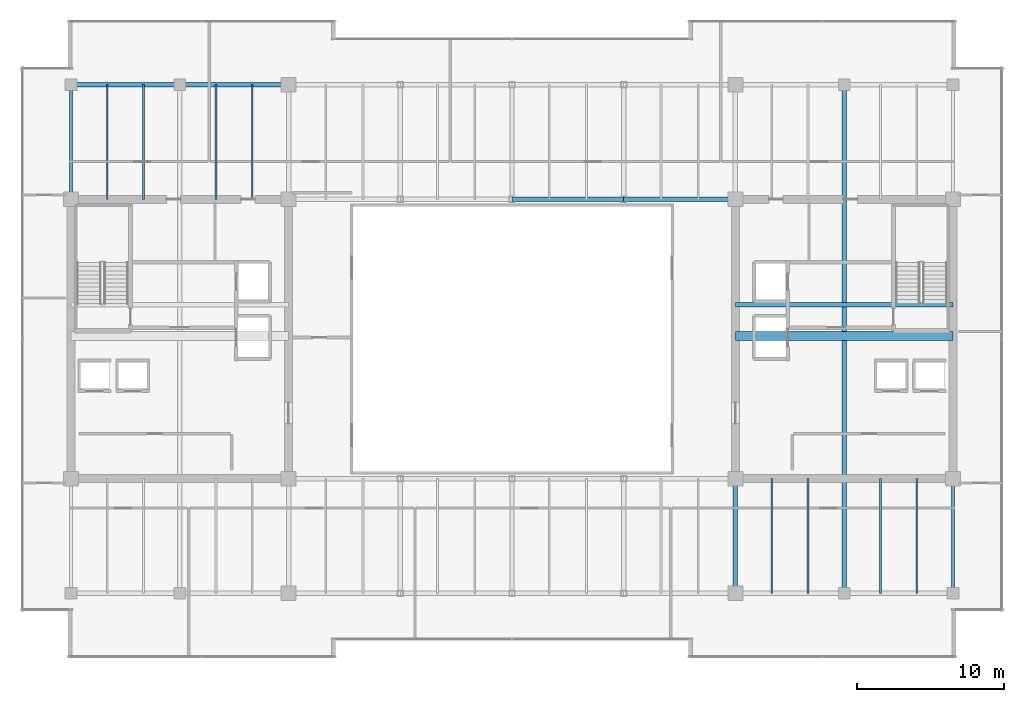
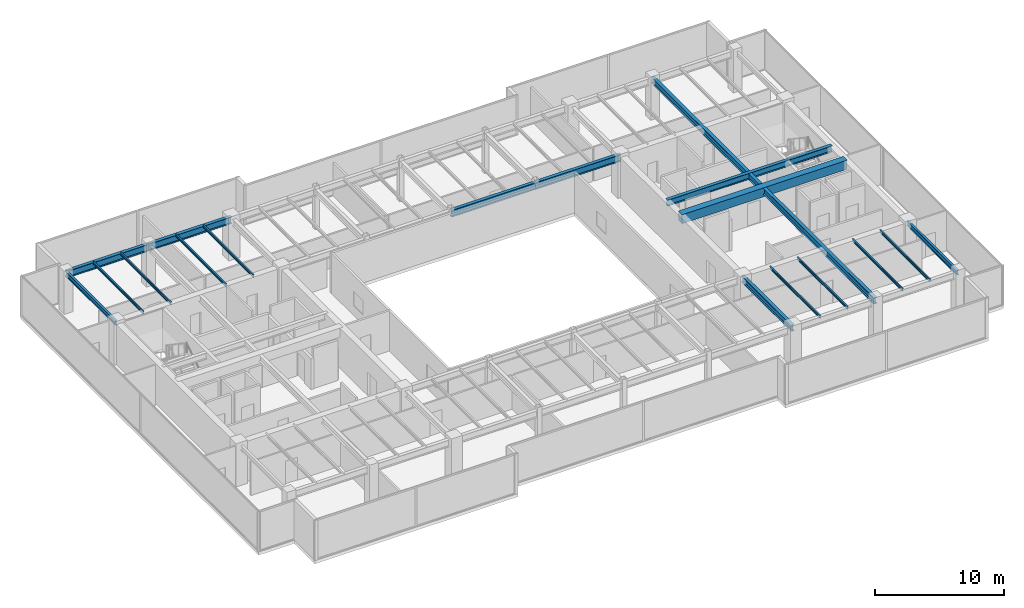
# One storey, part 14 of 33: 18 beams.
"""IFC4 building model written with IfcOpenShell, lengths in metres."""

from ifc_helpers import new_model, si_unit, direction, frame, origin, origin_2d, place, context, subcontext, project, spatial, rectangle, i_section, extrude, source, transform, mapped, material, material_profile, profile_set, type_object, type_shapes, element, save


model = new_model("IFC4")

# Units and contexts
model_context = context("Model", 3, precision=1e-05, world=origin(), true_north=direction((0.0, 1.0)))
body_context = subcontext(model_context, "Body", "Model", "MODEL_VIEW")
ifc_project = project(units=[si_unit("LENGTHUNIT", "METRE"), si_unit("AREAUNIT", "SQUARE_METRE"), si_unit("VOLUMEUNIT", "CUBIC_METRE"), si_unit("PLANEANGLEUNIT", "RADIAN"), si_unit("MASSUNIT", "GRAM", prefix="KILO")], contexts=[model_context])

# Site, building, storey
site_placement = place(None, origin())
site = spatial("IfcSite", under=ifc_project, at=site_placement, CompositionType="ELEMENT")
building_placement = place(site_placement, origin())
building = spatial("IfcBuilding", under=site, at=building_placement, Name="Haelvirn Gate Laboratories", CompositionType="ELEMENT")
storey_placement = place(building_placement, frame((0.0, 0.0, 250.60009765625)))
storey = spatial("IfcBuildingStorey", under=building, at=storey_placement, Name="L60", CompositionType="ELEMENT", Elevation=250.60009765625)

# Beams
ifc_material_1 = material(Name="Steel SM355", Category="steel")
ifc_material_profile_1 = material_profile(ifc_material_1, i_section(OverallWidth=0.300048828125, OverallDepth=0.587890625, WebThickness=0.011962890625, FlangeThickness=0.02001953125, at=origin_2d()), Name="H-588x300x12x20")
ifc_profile_set_1 = profile_set([ifc_material_profile_1], Name="Steel SM355")
beam_type_1 = type_object("IfcBeamType", Name="BM-G-588", PredefinedType="BEAM", material=ifc_profile_set_1)
shared_shape_1 = source(origin(), body_context, "Body", "SweptSolid", [
    extrude(i_section(OverallWidth=0.300048828125, OverallDepth=0.587890625, WebThickness=0.011962890625, FlangeThickness=0.02001953125, at=origin_2d()), origin(), (0.0, 0.0, 1.0), 14.7998046875),
])
beam_1_placement = place(storey_placement, frame((52.60009765625, 26.6201171875, 3.505859375), z_axis=(1.0, 0.0, 0.0), x_axis=(0.0, 1.0, 0.0)))
element("IfcBeam", 1, at=beam_1_placement, inside=storey, type_object=beam_type_1, Name="L60 Stair ST2 Landing Header", PredefinedType="BEAM", context=body_context, shape_type="MappedRepresentation", body=[
    mapped(shared_shape_1, transform((0.0, 0.0, 0.0), scale=1.0)),
])
shared_shape_2 = source(origin(), body_context, "Body", "SweptSolid", [
    extrude(i_section(OverallWidth=0.300048828125, OverallDepth=0.587890625, WebThickness=0.011962890625, FlangeThickness=0.02001953125, at=origin_2d()), origin(), (0.0, 0.0, 1.0), 34.60009765625),
])
beam_2_placement = place(storey_placement, frame((60.0, 7.0, 3.505859375), z_axis=(0.0, 1.0, 0.0), x_axis=(-1.0, 0.0, 0.0)))
element("IfcBeam", 2, at=beam_2_placement, inside=storey, type_object=beam_type_1, Name="L60 Frame Girder X60.0 (7.0-41.6)", PredefinedType="BEAM", context=body_context, shape_type="MappedRepresentation", body=[
    mapped(shared_shape_2, transform((0.0, 0.0, 0.0), scale=1.0)),
])
shared_shape_3 = source(origin(), body_context, "Body", "SweptSolid", [
    extrude(i_section(OverallWidth=0.300048828125, OverallDepth=0.587890625, WebThickness=0.011962890625, FlangeThickness=0.02001953125, at=origin_2d()), origin(), (0.0, 0.0, 1.0), 7.800048828125),
])
type_shapes(beam_type_1, [shared_shape_1, shared_shape_2, shared_shape_3])
beam_3_placement = place(storey_placement, frame((52.60009765625, 7.0, 3.505859375), z_axis=(0.0, 1.0, 0.0), x_axis=(-1.0, 0.0, 0.0)))
element("IfcBeam", 3, at=beam_3_placement, inside=storey, type_object=beam_type_1, Name="L60 Frame Girder X52.6 (7.0-14.8)", PredefinedType="BEAM", context=body_context, shape_type="MappedRepresentation", body=[
    mapped(shared_shape_3, transform((0.0, 0.0, 0.0), scale=1.0)),
])
ifc_material_2 = material(Name="Concrete C50/60", Category="concrete")
ifc_material_profile_2 = material_profile(ifc_material_2, rectangle(XDim=0.60009765625, YDim=0.85009765625, at=origin_2d()), Name="RCB-600x850")
ifc_profile_set_2 = profile_set([ifc_material_profile_2], Name="Concrete C50/60")
beam_type_2 = type_object("IfcBeamType", Name="BM-RCB-850", PredefinedType="LINTEL", material=ifc_profile_set_2)
shared_shape_4 = source(origin(), body_context, "Body", "SweptSolid", [
    extrude(rectangle(XDim=0.60009765625, YDim=0.85009765625, at=origin_2d()), origin(), (0.0, 0.0, 1.0), 14.7998046875),
])
type_shapes(beam_type_2, [shared_shape_4])
beam_4_placement = place(storey_placement, frame((52.60009765625, 24.5, 3.375), z_axis=(1.0, 0.0, 0.0), x_axis=(0.0, 1.0, 0.0)))
element("IfcBeam", 4, at=beam_4_placement, inside=storey, type_object=beam_type_2, Name="L60 East Core Coupling Beam", PredefinedType="LINTEL", context=body_context, shape_type="MappedRepresentation", body=[
    mapped(shared_shape_4, transform((0.0, 0.0, 0.0), scale=1.0)),
])
ifc_material_profile_3 = material_profile(ifc_material_1, i_section(OverallWidth=0.300048828125, OverallDepth=0.64990234375, WebThickness=0.012939453125, FlangeThickness=0.02197265625, at=origin_2d()), Name="H-650x300x13x22")
ifc_profile_set_3 = profile_set([ifc_material_profile_3], Name="Steel SM355")
beam_type_3 = type_object("IfcBeamType", Name="BM-G-650", PredefinedType="BEAM", material=ifc_profile_set_3)
shared_shape_5 = source(origin(), body_context, "Body", "SweptSolid", [
    extrude(i_section(OverallWidth=0.300048828125, OverallDepth=0.64990234375, WebThickness=0.012939453125, FlangeThickness=0.02197265625, at=origin_2d()), origin(), (0.0, 0.0, 1.0), 7.400146484375),
])
beam_5_placement = place(storey_placement, frame((7.39990234375, 41.60009765625, 3.474853515625), z_axis=(1.0, 0.0, 0.0), x_axis=(0.0, 1.0, 0.0)))
element("IfcBeam", 5, at=beam_5_placement, inside=storey, type_object=beam_type_3, Name="L60 Primary Girder Y41.6 (7.4-14.8)", PredefinedType="BEAM", context=body_context, shape_type="MappedRepresentation", body=[
    mapped(shared_shape_5, transform((0.0, 0.0, 0.0), scale=1.0)),
])
shared_shape_6 = source(origin(), body_context, "Body", "SweptSolid", [
    extrude(i_section(OverallWidth=0.300048828125, OverallDepth=0.64990234375, WebThickness=0.012939453125, FlangeThickness=0.02197265625, at=origin_2d()), origin(), (0.0, 0.0, 1.0), 7.39990234375),
])
beam_6_placement = place(storey_placement, frame((14.800048828125, 41.60009765625, 3.474853515625), z_axis=(1.0, 0.0, 0.0), x_axis=(0.0, 1.0, 0.0)))
element("IfcBeam", 6, at=beam_6_placement, inside=storey, type_object=beam_type_3, Name="L60 Primary Girder Y41.6 (14.8-22.2)", PredefinedType="BEAM", context=body_context, shape_type="MappedRepresentation", body=[
    mapped(shared_shape_6, transform((0.0, 0.0, 0.0), scale=1.0)),
])
shared_shape_7 = source(origin(), body_context, "Body", "SweptSolid", [
    extrude(i_section(OverallWidth=0.300048828125, OverallDepth=0.64990234375, WebThickness=0.012939453125, FlangeThickness=0.02197265625, at=origin_2d()), origin(), (0.0, 0.0, 1.0), 7.60009765625),
])
type_shapes(beam_type_3, [shared_shape_5, shared_shape_6, shared_shape_7])
for number, where, z_axis, x_axis, name in (
    (7, (37.39990234375, 33.800048828125, 3.474853515625), (1.0, 0.0, 0.0), (0.0, 1.0, 0.0), "L60 Primary Girder Y33.8 (37.4-45.0)"),
    (8, (45.0, 33.800048828125, 3.474853515625), (1.0, 0.0, 0.0), (0.0, 1.0, 0.0), "L60 Primary Girder Y33.8 (45.0-52.6)"),
):
    element("IfcBeam", number, at=place(storey_placement, frame(where, z_axis=z_axis, x_axis=x_axis)), inside=storey, type_object=beam_type_3, Name=name, PredefinedType="BEAM", context=body_context, shape_type="MappedRepresentation", body=[
        mapped(shared_shape_7, transform((0.0, 0.0, 0.0), scale=1.0)),
    ])
ifc_material_profile_4 = material_profile(ifc_material_1, i_section(OverallWidth=0.199951171875, OverallDepth=0.449951171875, WebThickness=0.009033203125, FlangeThickness=0.013916015625, at=origin_2d()), Name="H-450x200x9x14")
ifc_profile_set_4 = profile_set([ifc_material_profile_4], Name="Steel SM355")
beam_type_4 = type_object("IfcBeamType", Name="BM-SP-450", PredefinedType="SPANDREL", material=ifc_profile_set_4)
shared_shape_8 = source(origin(), body_context, "Body", "SweptSolid", [
    extrude(i_section(OverallWidth=0.199951171875, OverallDepth=0.449951171875, WebThickness=0.009033203125, FlangeThickness=0.013916015625, at=origin_2d()), origin(), (0.0, 0.0, 1.0), 7.800048828125),
])
type_shapes(beam_type_4, [shared_shape_8])
for number, where, z_axis, x_axis, name in (
    (9, (7.39990234375, 33.800048828125, 3.574951171875), (0.0, 1.0, 0.0), (-1.0, 0.0, 0.0), "L60 Perimeter Spandrel X7.4 (33.8-41.6)"),
    (10, (67.39990234375, 7.0, 3.574951171875), (0.0, 1.0, 0.0), (-1.0, 0.0, 0.0), "L60 Perimeter Spandrel X67.4 (7.0-14.8)"),
):
    element("IfcBeam", number, at=place(storey_placement, frame(where, z_axis=z_axis, x_axis=x_axis)), inside=storey, type_object=beam_type_4, Name=name, PredefinedType="SPANDREL", context=body_context, shape_type="MappedRepresentation", body=[
        mapped(shared_shape_8, transform((0.0, 0.0, 0.0), scale=1.0)),
    ])
ifc_material_profile_5 = material_profile(ifc_material_1, i_section(OverallWidth=0.125, OverallDepth=0.25, WebThickness=0.006103515625, FlangeThickness=0.009033203125, at=origin_2d()), Name="H-250x125x6x9")
ifc_profile_set_5 = profile_set([ifc_material_profile_5], Name="Steel SM355")
beam_type_5 = type_object("IfcBeamType", Name="BM-J-250", PredefinedType="JOIST", material=ifc_profile_set_5)
shared_shape_9 = source(origin(), body_context, "Body", "SweptSolid", [
    extrude(i_section(OverallWidth=0.125, OverallDepth=0.25, WebThickness=0.006103515625, FlangeThickness=0.009033203125, at=origin_2d()), origin(), (0.0, 0.0, 1.0), 7.800048828125),
])
type_shapes(beam_type_5, [shared_shape_9])
for number, where, z_axis, x_axis, name in (
    (11, (9.8701171875, 33.800048828125, 3.6748046875), (0.0, 1.0, 0.0), (-1.0, 0.0, 0.0), "L60 Composite Lab Joist North X9.87"),
    (12, (12.330078125, 33.800048828125, 3.6748046875), (0.0, 1.0, 0.0), (-1.0, 0.0, 0.0), "L60 Composite Lab Joist North X12.33"),
    (13, (17.27001953125, 33.800048828125, 3.6748046875), (0.0, 1.0, 0.0), (-1.0, 0.0, 0.0), "L60 Composite Lab Joist North X17.27"),
    (14, (19.72998046875, 33.800048828125, 3.6748046875), (0.0, 1.0, 0.0), (-1.0, 0.0, 0.0), "L60 Composite Lab Joist North X19.73"),
    (15, (55.070068359375, 7.0, 3.6748046875), (0.0, 1.0, 0.0), (-1.0, 0.0, 0.0), "L60 Composite Lab Joist South X55.07"),
    (16, (57.530029296875, 7.0, 3.6748046875), (0.0, 1.0, 0.0), (-1.0, 0.0, 0.0), "L60 Composite Lab Joist South X57.53"),
    (17, (62.469970703125, 7.0, 3.6748046875), (0.0, 1.0, 0.0), (-1.0, 0.0, 0.0), "L60 Composite Lab Joist South X62.47"),
    (18, (64.929931640625, 7.0, 3.6748046875), (0.0, 1.0, 0.0), (-1.0, 0.0, 0.0), "L60 Composite Lab Joist South X64.93"),
):
    element("IfcBeam", number, at=place(storey_placement, frame(where, z_axis=z_axis, x_axis=x_axis)), inside=storey, type_object=beam_type_5, Name=name, PredefinedType="JOIST", context=body_context, shape_type="MappedRepresentation", body=[
        mapped(shared_shape_9, transform((0.0, 0.0, 0.0), scale=1.0)),
    ])

save(model, "model.ifc")
